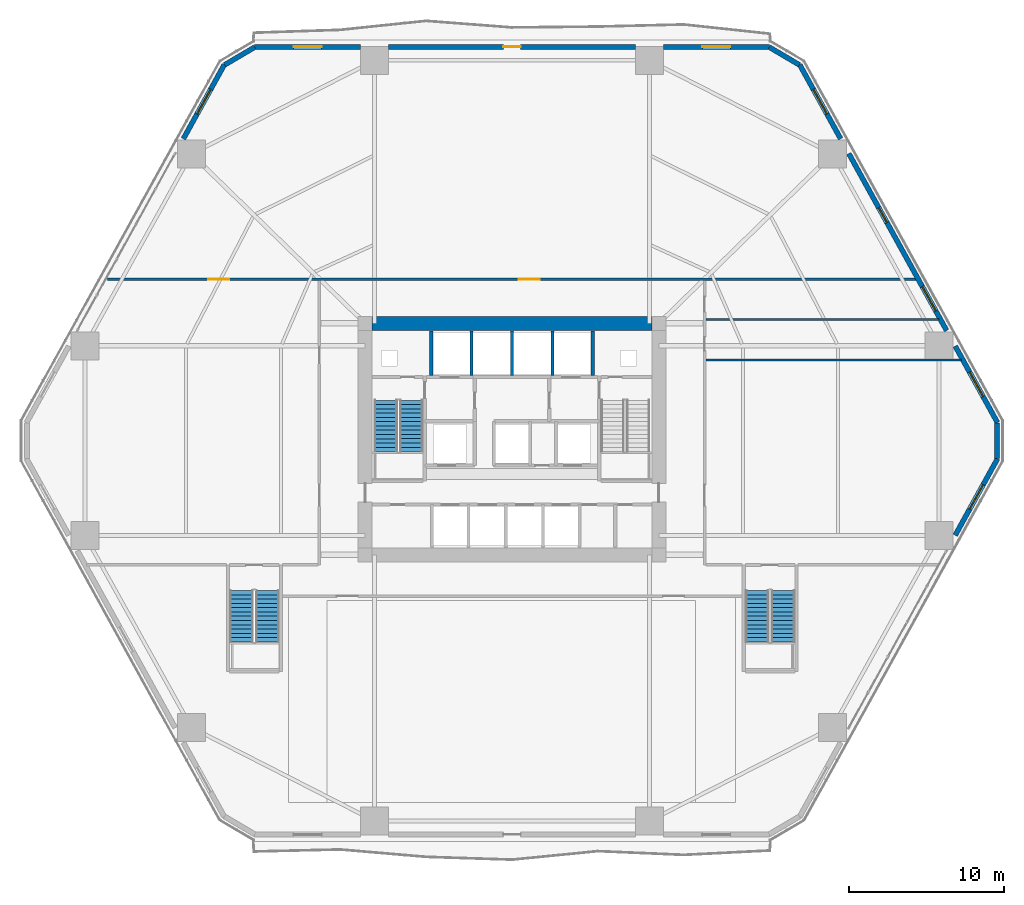
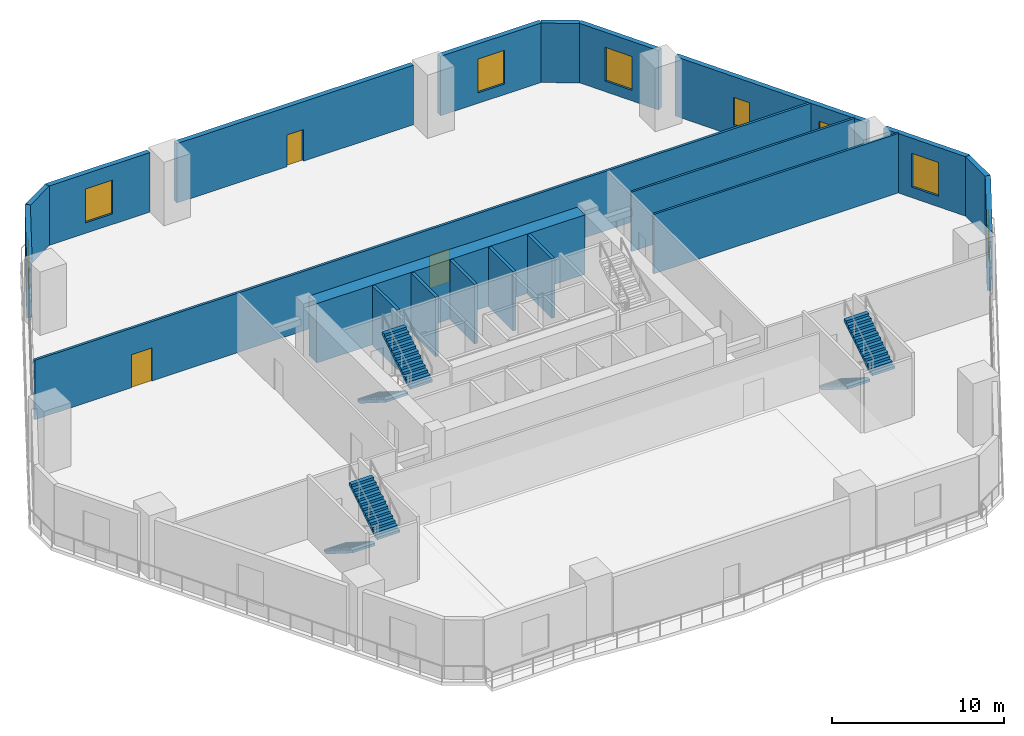
# One storey, part 11 of 18: 20 walls, 8 windows, 6 stair flights, 3 doors, 11 openings, 3 elements without a shape of their own.
"""IFC4 building model written with IfcOpenShell, lengths in metres."""

from ifc_helpers import new_model, si_unit, direction, frame, frame_2d, origin, place, context, subcontext, project, spatial, polyline, rectangle, outline, extrude, material, layer, layer_set, type_object, element, fill, aggregate, save


model = new_model("IFC4")

# Units and contexts
model_context = context("Model", 3, precision=1e-05, world=origin(), true_north=direction((0.0, 1.0)))
body_context = subcontext(model_context, "Body", "Model", "MODEL_VIEW")
ifc_project = project(units=[si_unit("LENGTHUNIT", "METRE"), si_unit("AREAUNIT", "SQUARE_METRE"), si_unit("VOLUMEUNIT", "CUBIC_METRE"), si_unit("PLANEANGLEUNIT", "RADIAN"), si_unit("MASSUNIT", "GRAM", prefix="KILO")], contexts=[model_context])

# Site, building, storey
site_placement = place(None, origin())
site = spatial("IfcSite", under=ifc_project, at=site_placement, CompositionType="ELEMENT")
building_placement = place(site_placement, origin())
building = spatial("IfcBuilding", under=site, at=building_placement, Name="Cinnabar Lancet Tower", CompositionType="ELEMENT")
storey_placement = place(building_placement, frame((0.0, 0.0, 15.0)))
storey = spatial("IfcBuildingStorey", under=building, at=storey_placement, Name="L03", CompositionType="ELEMENT", Elevation=15.0)

# Wall, openings, doors
ifc_material_1 = material(Name="Acoustic twin-stud gypsum partition", Category="gypsum")
ifc_layer_1 = layer(ifc_material_1, 0.159912109375)
ifc_layer_set_1 = layer_set([ifc_layer_1], Name="Acoustic twin-stud gypsum partition")
wall_type_1 = type_object("IfcWallType", Name="ARC-WL-CORR-160", PredefinedType="PARTITIONING", material=ifc_layer_set_1)
wall_1_placement = place(storey_placement, frame((6.345947265625, 36.199951171875, 0.0), z_axis=(0.0, 0.0, 1.0), x_axis=(1.0, 0.0, 0.0)))
wall_1 = element("IfcWall", 1, at=wall_1_placement, inside=storey, type_object=wall_type_1, Name="PW-L03-NHL", PredefinedType="PARTITIONING", context=body_context, shape_type="SweptSolid", body=[
    extrude(rectangle(XDim=52.108154296875, YDim=0.159912109375, at=frame_2d((26.05419921875, 0.0))), origin(), (0.0, 0.0, 1.0), 4.219970703125),
])
opening_1_placement = place(wall_1_placement, frame((6.5, 0.0, 0.0)))
opening_1 = element("IfcOpeningElement", 2, at=opening_1_placement, cuts=wall_1, Name="Opening UD-02", PredefinedType="OPENING", context=body_context, shape_type="SweptSolid", body=[
    extrude(rectangle(XDim=1.35009765625, YDim=2.35009765625, at=frame_2d((0.675048828125, 1.175048828125))), frame((0.0, 0.08984375, 0.0), z_axis=(0.0, -1.0, 0.0), x_axis=(1.0, 0.0, 0.0)), (0.0, 0.0, 1.0), 0.179931640625),
])
opening_2_placement = place(wall_1_placement, frame((26.5, 0.0, 0.0)))
opening_2 = element("IfcOpeningElement", 3, at=opening_2_placement, cuts=wall_1, Name="Opening UD-02", PredefinedType="OPENING", context=body_context, shape_type="SweptSolid", body=[
    extrude(rectangle(XDim=1.35009765625, YDim=2.35009765625, at=frame_2d((0.675048828125, 1.175048828125))), frame((0.0, 0.08984375, 0.0), z_axis=(0.0, -1.0, 0.0), x_axis=(1.0, 0.0, 0.0)), (0.0, 0.0, 1.0), 0.179931640625),
])
ifc_material_2 = material(Name="Double-leaf solid timber penthouse entrance door", Category="wood")
door_type_1 = type_object("IfcDoorType", Name="ARC-DR-UNIT-PH", OperationType="NOTDEFINED", PredefinedType="DOOR", material=ifc_material_2)
door_1_placement = place(opening_1_placement, origin())
door_1 = element("IfcDoor", 4, at=door_1_placement, inside=storey, type_object=door_type_1, Name="DR-L03-NORTH1", OperationType="SINGLE_SWING_LEFT", OverallHeight=2.35009765625, OverallWidth=1.35009765625, PredefinedType="DOOR", context=body_context, shape_type="SweptSolid", body=[
    extrude(rectangle(XDim=1.35009765625, YDim=2.35009765625, at=frame_2d((0.675048828125, 1.175048828125))), frame((0.0, 0.02490234375, 0.0), z_axis=(0.0, -1.0, 0.0), x_axis=(1.0, 0.0, 0.0)), (0.0, 0.0, 1.0), 0.050048828125),
])
fill(opening_1, door_1)
door_2_placement = place(opening_2_placement, origin())
door_2 = element("IfcDoor", 5, at=door_2_placement, inside=storey, type_object=door_type_1, Name="DR-L03-NORTH2", OperationType="SINGLE_SWING_RIGHT", OverallHeight=2.35009765625, OverallWidth=1.35009765625, PredefinedType="DOOR", context=body_context, shape_type="SweptSolid", body=[
    extrude(rectangle(XDim=1.35009765625, YDim=2.35009765625, at=frame_2d((0.675048828125, 1.175048828125))), frame((0.0, 0.02490234375, 0.0), z_axis=(0.0, -1.0, 0.0), x_axis=(1.0, 0.0, 0.0)), (0.0, 0.0, 1.0), 0.050048828125),
])
fill(opening_2, door_2)

# Walls
ifc_material_3 = material(Name="Autoclaved aerated concrete blockwork", Category="masonry")
ifc_layer_2 = layer(ifc_material_3, 0.199951171875)
ifc_layer_set_2 = layer_set([ifc_layer_2], Name="Autoclaved aerated concrete blockwork")
wall_type_2 = type_object("IfcWallType", Name="ARC-WL-SHAFT-200", PredefinedType="PLUMBINGWALL", material=ifc_layer_set_2)
for number, where, z_axis, x_axis, name in (
    (6, (27.199951171875, 30.0, 0.0), (0.0, 0.0, 1.0), (0.0, 1.0, 0.0), "CW-NSH-D1-L03"),
    (7, (29.800048828125, 30.0, 0.0), (0.0, 0.0, 1.0), (0.0, 1.0, 0.0), "CW-NSH-D2-L03"),
    (8, (32.39990234375, 30.0, 0.0), (0.0, 0.0, 1.0), (0.0, 1.0, 0.0), "CW-NSH-D3-L03"),
    (9, (35.0, 30.0, 0.0), (0.0, 0.0, 1.0), (0.0, 1.0, 0.0), "CW-NSH-D4-L03"),
    (10, (37.60009765625, 30.0, 0.0), (0.0, 0.0, 1.0), (0.0, 1.0, 0.0), "CW-NSH-D5-L03"),
):
    element("IfcWall", number, at=place(storey_placement, frame(where, z_axis=z_axis, x_axis=x_axis)), inside=storey, type_object=wall_type_2, Name=name, PredefinedType="PLUMBINGWALL", context=body_context, shape_type="SweptSolid", body=[
        extrude(rectangle(XDim=2.85009765625, YDim=0.199951171875, at=frame_2d((1.425048828125, 0.0))), origin(), (0.0, 0.0, 1.0), 4.219970703125),
    ])
ifc_material_4 = material(Name="Moisture-resistant cement-board plumbing wall", Category="masonry")
ifc_layer_3 = layer(ifc_material_4, 0.139892578125)
ifc_layer_set_3 = layer_set([ifc_layer_3], Name="Moisture-resistant cement-board plumbing wall")
wall_type_3 = type_object("IfcWallType", Name="ARC-WL-WET-140", PredefinedType="PLUMBINGWALL", material=ifc_layer_set_3)
wall_2_placement = place(storey_placement, frame((44.885009765625, 31.0, 0.0), z_axis=(0.0, 0.0, 1.0), x_axis=(1.0, 0.0, 0.0)))
element("IfcWall", 11, at=wall_2_placement, inside=storey, type_object=wall_type_3, Name="PW-L03-WCS", PredefinedType="PLUMBINGWALL", context=body_context, shape_type="SweptSolid", body=[
    extrude(rectangle(XDim=16.44189453125, YDim=0.139892578125, at=frame_2d((8.220947265625, 0.0))), origin(), (0.0, 0.0, 1.0), 4.219970703125),
])
wall_3_placement = place(storey_placement, frame((44.885009765625, 33.60009765625, 0.0), z_axis=(0.0, 0.0, 1.0), x_axis=(1.0, 0.0, 0.0)))
element("IfcWall", 12, at=wall_3_placement, inside=storey, type_object=wall_type_3, Name="PW-L03-WCM", PredefinedType="PLUMBINGWALL", context=body_context, shape_type="SweptSolid", body=[
    extrude(rectangle(XDim=15.006103515625, YDim=0.139892578125, at=frame_2d((7.5029296875, 0.0))), origin(), (0.0, 0.0, 1.0), 4.219970703125),
])
ifc_material_5 = material(Name="Warm buff clay brick", Category="masonry")
ifc_layer_4 = layer(ifc_material_5, 0.320068359375)
ifc_layer_set_4 = layer_set([ifc_layer_4], Name="Warm buff clay brick")
wall_type_4 = type_object("IfcWallType", Name="ENV-WL-BRK-BUF-320", PredefinedType="STANDARD", material=ifc_layer_set_4)
wall_4_placement = place(storey_placement, frame((63.635009765625, 24.64599609375, 0.0), z_axis=(0.0, 0.0, 1.0), x_axis=(0.0, 1.0, 0.0)))
element("IfcWall", 13, at=wall_4_placement, inside=storey, type_object=wall_type_4, Name="L03 Chamfered Corner Brick Pier 3.1", PredefinedType="STANDARD", context=body_context, shape_type="SweptSolid", body=[
    extrude(rectangle(XDim=2.30810546875, YDim=0.320068359375, at=frame_2d((1.154052734375, 0.0))), origin(), (0.0, 0.0, 1.0), 4.219970703125),
])
wall_5_placement = place(storey_placement, frame((50.903076171875, 49.991943359375, 0.0), z_axis=(0.0, 0.0, 1.0), x_axis=(-0.861209017918, 0.508250949293, 0.0)))
element("IfcWall", 14, at=wall_5_placement, inside=storey, type_object=wall_type_4, Name="L03 Chamfered Corner Brick Pier 4.1", PredefinedType="STANDARD", context=body_context, shape_type="SweptSolid", body=[
    extrude(rectangle(XDim=2.2529296875, YDim=0.320068359375, at=frame_2d((1.12646484375, 0.0))), origin(), (0.0, 0.0, 1.0), 4.219970703125),
])
wall_6_placement = place(storey_placement, frame((15.8369140625, 51.136962890625, 0.0), z_axis=(0.0, 0.0, 1.0), x_axis=(-0.861181020205, -0.508298387209, 0.0)))
element("IfcWall", 15, at=wall_6_placement, inside=storey, type_object=wall_type_4, Name="L03 Chamfered Corner Brick Pier 5.1", PredefinedType="STANDARD", context=body_context, shape_type="SweptSolid", body=[
    extrude(rectangle(XDim=2.252685546875, YDim=0.320068359375, at=frame_2d((1.12646484375, 0.0))), origin(), (0.0, 0.0, 1.0), 4.219970703125),
])

# Wall, opening, window
wall_7_placement = place(storey_placement, frame((60.93408203125, 19.7119140625, 0.0), z_axis=(0.0, 0.0, 1.0), x_axis=(0.483638013798, 0.875268114128, 0.0)))
wall_7 = element("IfcWall", 16, at=wall_7_placement, inside=storey, type_object=wall_type_4, Name="L03 Face 2 Masonry Bay Wall 3", PredefinedType="STANDARD", context=body_context, shape_type="SweptSolid", body=[
    extrude(rectangle(XDim=5.6279296875, YDim=0.320068359375, at=frame_2d((2.81396484375, 0.0))), origin(), (0.0, 0.0, 1.0), 4.219970703125),
])
opening_3_placement = place(wall_7_placement, frame((1.9140625, 0.0, 0.75)))
opening_3 = element("IfcOpeningElement", 17, at=opening_3_placement, cuts=wall_7, Name="Opening WN-05", PredefinedType="OPENING", context=body_context, shape_type="SweptSolid", body=[
    extrude(rectangle(XDim=1.800048828125, YDim=2.39990234375, at=frame_2d((0.89990234375, 1.199951171875))), frame((0.0, 0.169921875, 0.0), z_axis=(0.0, -1.0, 0.0), x_axis=(1.0, 0.0, 0.0)), (0.0, 0.0, 1.0), 0.340087890625),
])
ifc_material_6 = material(Name="Thermally broken bronze-anodized aluminium podium lancet window", Category="aluminium")
window_type_1 = type_object("IfcWindowType", Name="ENV-WN-POD-1800", PartitioningType="SINGLE_PANEL", PredefinedType="WINDOW", material=ifc_material_6)
window_1_placement = place(opening_3_placement, origin())
window_1 = element("IfcWindow", 18, at=window_1_placement, inside=storey, type_object=window_type_1, Name="L03 Face 2 Gothic Lancet Window 3", OverallHeight=2.39990234375, OverallWidth=1.800048828125, PartitioningType="SINGLE_PANEL", PredefinedType="WINDOW", context=body_context, shape_type="SweptSolid", body=[
    extrude(rectangle(XDim=1.800048828125, YDim=2.39990234375, at=frame_2d((0.89990234375, 1.199951171875))), frame((0.0, 0.030029296875, 0.0), z_axis=(0.0, -1.0, 0.0), x_axis=(1.0, 0.0, 0.0)), (0.0, 0.0, 1.0), 0.06005859375),
])
fill(opening_3, window_1)

wall_8_placement = place(storey_placement, frame((63.656005859375, 26.9619140625, 0.0), z_axis=(0.0, 0.0, 1.0), x_axis=(-0.483638013798, 0.875268114128, 0.0)))
wall_8 = element("IfcWall", 19, at=wall_8_placement, inside=storey, type_object=wall_type_4, Name="L03 Face 3 Masonry Bay Wall 1", PredefinedType="STANDARD", context=body_context, shape_type="SweptSolid", body=[
    extrude(rectangle(XDim=5.6279296875, YDim=0.320068359375, at=frame_2d((2.81396484375, 0.0))), origin(), (0.0, 0.0, 1.0), 4.219970703125),
])
opening_4_placement = place(wall_8_placement, frame((1.9140625, 0.0, 0.75)))
opening_4 = element("IfcOpeningElement", 20, at=opening_4_placement, cuts=wall_8, Name="Opening WN-05", PredefinedType="OPENING", context=body_context, shape_type="SweptSolid", body=[
    extrude(rectangle(XDim=1.800048828125, YDim=2.39990234375, at=frame_2d((0.89990234375, 1.199951171875))), frame((0.0, 0.169921875, 0.0), z_axis=(0.0, -1.0, 0.0), x_axis=(1.0, 0.0, 0.0)), (0.0, 0.0, 1.0), 0.340087890625),
])
window_2_placement = place(opening_4_placement, origin())
window_2 = element("IfcWindow", 21, at=window_2_placement, inside=storey, type_object=window_type_1, Name="L03 Face 3 Gothic Lancet Window 1", OverallHeight=2.39990234375, OverallWidth=1.800048828125, PartitioningType="SINGLE_PANEL", PredefinedType="WINDOW", context=body_context, shape_type="SweptSolid", body=[
    extrude(rectangle(XDim=1.800048828125, YDim=2.39990234375, at=frame_2d((0.89990234375, 1.199951171875))), frame((0.0, 0.030029296875, 0.0), z_axis=(0.0, -1.0, 0.0), x_axis=(1.0, 0.0, 0.0)), (0.0, 0.0, 1.0), 0.06005859375),
])
fill(opening_4, window_2)

# Wall, openings, windows
wall_9_placement = place(storey_placement, frame((60.381103515625, 32.888916015625, 0.0), z_axis=(0.0, 0.0, 1.0), x_axis=(-0.483690649574, 0.875239027646, 0.0)))
wall_9 = element("IfcWall", 22, at=wall_9_placement, inside=storey, type_object=wall_type_4, Name="L03 Face 3 Masonry Bay Wall 2", PredefinedType="STANDARD", context=body_context, shape_type="SweptSolid", body=[
    extrude(rectangle(XDim=13.014892578125, YDim=0.320068359375, at=frame_2d((6.50732421875, 0.0))), origin(), (0.0, 0.0, 1.0), 4.219970703125),
])
opening_5_placement = place(wall_9_placement, frame((1.43896484375, 0.0, 0.75)))
opening_5 = element("IfcOpeningElement", 23, at=opening_5_placement, cuts=wall_9, Name="Opening WN-05", PredefinedType="OPENING", context=body_context, shape_type="SweptSolid", body=[
    extrude(rectangle(XDim=1.800048828125, YDim=2.39990234375, at=frame_2d((0.89990234375, 1.199951171875))), frame((0.0, 0.169921875, 0.0), z_axis=(0.0, -1.0, 0.0), x_axis=(1.0, 0.0, 0.0)), (0.0, 0.0, 1.0), 0.340087890625),
])
opening_6_placement = place(wall_9_placement, frame((7.943115234375, 0.0, 0.75)))
opening_6 = element("IfcOpeningElement", 24, at=opening_6_placement, cuts=wall_9, Name="Opening WN-04", PredefinedType="OPENING", context=body_context, shape_type="SweptSolid", body=[
    extrude(rectangle(XDim=1.10009765625, YDim=2.0, at=frame_2d((0.550048828125, 1.0))), frame((0.0, 0.169921875, 0.0), z_axis=(0.0, -1.0, 0.0), x_axis=(1.0, 0.0, 0.0)), (0.0, 0.0, 1.0), 0.340087890625),
])
ifc_material_7 = material(Name="Thermally broken bronze-anodized aluminium tall lancet window", Category="aluminium")
window_type_2 = type_object("IfcWindowType", Name="ENV-WN-LANCET-1100", PartitioningType="SINGLE_PANEL", PredefinedType="WINDOW", material=ifc_material_7)
window_3_placement = place(opening_6_placement, origin())
window_3 = element("IfcWindow", 25, at=window_3_placement, inside=storey, type_object=window_type_2, Name="L03 Split-Bay Gothic Lancet Window 3", OverallHeight=2.0, OverallWidth=1.10009765625, PartitioningType="SINGLE_PANEL", PredefinedType="WINDOW", context=body_context, shape_type="SweptSolid", body=[
    extrude(rectangle(XDim=1.10009765625, YDim=2.0, at=frame_2d((0.550048828125, 1.0))), frame((0.0, 0.030029296875, 0.0), z_axis=(0.0, -1.0, 0.0), x_axis=(1.0, 0.0, 0.0)), (0.0, 0.0, 1.0), 0.06005859375),
])
fill(opening_6, window_3)
window_4_placement = place(opening_5_placement, origin())
window_4 = element("IfcWindow", 26, at=window_4_placement, inside=storey, type_object=window_type_1, Name="L03 Face 3 Gothic Lancet Window 2", OverallHeight=2.39990234375, OverallWidth=1.800048828125, PartitioningType="SINGLE_PANEL", PredefinedType="WINDOW", context=body_context, shape_type="SweptSolid", body=[
    extrude(rectangle(XDim=1.800048828125, YDim=2.39990234375, at=frame_2d((0.89990234375, 1.199951171875))), frame((0.0, 0.030029296875, 0.0), z_axis=(0.0, -1.0, 0.0), x_axis=(1.0, 0.0, 0.0)), (0.0, 0.0, 1.0), 0.06005859375),
])
fill(opening_5, window_4)

# Wall, opening, window
wall_10_placement = place(storey_placement, frame((53.556884765625, 45.237060546875, 0.0), z_axis=(0.0, 0.0, 1.0), x_axis=(-0.483675274773, 0.875247524174, 0.0)))
wall_10 = element("IfcWall", 27, at=wall_10_placement, inside=storey, type_object=wall_type_4, Name="L03 Face 3 Masonry Bay Wall 3", PredefinedType="STANDARD", context=body_context, shape_type="SweptSolid", body=[
    extrude(rectangle(XDim=5.449951171875, YDim=0.320068359375, at=frame_2d((2.72509765625, 0.0))), origin(), (0.0, 0.0, 1.0), 4.219970703125),
])
opening_7_placement = place(wall_10_placement, frame((1.824951171875, 0.0, 0.75)))
opening_7 = element("IfcOpeningElement", 28, at=opening_7_placement, cuts=wall_10, Name="Opening WN-05", PredefinedType="OPENING", context=body_context, shape_type="SweptSolid", body=[
    extrude(rectangle(XDim=1.800048828125, YDim=2.39990234375, at=frame_2d((0.89990234375, 1.199951171875))), frame((0.0, 0.169921875, 0.0), z_axis=(0.0, -1.0, 0.0), x_axis=(1.0, 0.0, 0.0)), (0.0, 0.0, 1.0), 0.340087890625),
])
window_5_placement = place(opening_7_placement, origin())
window_5 = element("IfcWindow", 29, at=window_5_placement, inside=storey, type_object=window_type_1, Name="L03 Face 3 Gothic Lancet Window 3", OverallHeight=2.39990234375, OverallWidth=1.800048828125, PartitioningType="SINGLE_PANEL", PredefinedType="WINDOW", context=body_context, shape_type="SweptSolid", body=[
    extrude(rectangle(XDim=1.800048828125, YDim=2.39990234375, at=frame_2d((0.89990234375, 1.199951171875))), frame((0.0, 0.030029296875, 0.0), z_axis=(0.0, -1.0, 0.0), x_axis=(1.0, 0.0, 0.0)), (0.0, 0.0, 1.0), 0.06005859375),
])
fill(opening_7, window_5)

wall_11_placement = place(storey_placement, frame((48.968017578125, 51.159912109375, 0.0), z_axis=(0.0, 0.0, 1.0), x_axis=(-1.0, 0.0, 0.0)))
wall_11 = element("IfcWall", 30, at=wall_11_placement, inside=storey, type_object=wall_type_4, Name="L03 Face 4 Masonry Bay Wall 1", PredefinedType="STANDARD", context=body_context, shape_type="SweptSolid", body=[
    extrude(rectangle(XDim=6.819091796875, YDim=0.320068359375, at=frame_2d((3.40966796875, 0.0))), origin(), (0.0, 0.0, 1.0), 4.219970703125),
])
opening_8_placement = place(wall_11_placement, frame((2.510009765625, 0.0, 0.75)))
opening_8 = element("IfcOpeningElement", 31, at=opening_8_placement, cuts=wall_11, Name="Opening WN-05", PredefinedType="OPENING", context=body_context, shape_type="SweptSolid", body=[
    extrude(rectangle(XDim=1.800048828125, YDim=2.39990234375, at=frame_2d((0.89990234375, 1.199951171875))), frame((0.0, 0.169921875, 0.0), z_axis=(0.0, -1.0, 0.0), x_axis=(1.0, 0.0, 0.0)), (0.0, 0.0, 1.0), 0.340087890625),
])
window_6_placement = place(opening_8_placement, origin())
window_6 = element("IfcWindow", 32, at=window_6_placement, inside=storey, type_object=window_type_1, Name="L03 Face 4 Gothic Lancet Window 1", OverallHeight=2.39990234375, OverallWidth=1.800048828125, PartitioningType="SINGLE_PANEL", PredefinedType="WINDOW", context=body_context, shape_type="SweptSolid", body=[
    extrude(rectangle(XDim=1.800048828125, YDim=2.39990234375, at=frame_2d((0.89990234375, 1.199951171875))), frame((0.0, 0.030029296875, 0.0), z_axis=(0.0, -1.0, 0.0), x_axis=(1.0, 0.0, 0.0)), (0.0, 0.0, 1.0), 0.06005859375),
])
fill(opening_8, window_6)

# Wall, opening, door
wall_12_placement = place(storey_placement, frame((40.341064453125, 51.159912109375, 0.0), z_axis=(0.0, 0.0, 1.0), x_axis=(-1.0, 0.0, 0.0)))
wall_12 = element("IfcWall", 33, at=wall_12_placement, inside=storey, type_object=wall_type_4, Name="L03 Face 4 Masonry Bay Wall 2", PredefinedType="STANDARD", context=body_context, shape_type="SweptSolid", body=[
    extrude(rectangle(XDim=15.882080078125, YDim=0.320068359375, at=frame_2d((7.94091796875, 0.0))), origin(), (0.0, 0.0, 1.0), 4.219970703125),
])
opening_9_placement = place(wall_12_placement, frame((7.39111328125, 0.0, 0.0)))
opening_9 = element("IfcOpeningElement", 34, at=opening_9_placement, cuts=wall_12, Name="Opening TD-01", PredefinedType="OPENING", context=body_context, shape_type="SweptSolid", body=[
    extrude(rectangle(XDim=1.10009765625, YDim=2.25, at=frame_2d((0.550048828125, 1.125))), frame((0.0, 0.169921875, 0.0), z_axis=(0.0, -1.0, 0.0), x_axis=(1.0, 0.0, 0.0)), (0.0, 0.0, 1.0), 0.340087890625),
])
ifc_material_8 = material(Name="Thermally broken low-E glazed balcony terrace door", Category="wood")
door_type_2 = type_object("IfcDoorType", Name="ARC-DR-BALC", OperationType="NOTDEFINED", PredefinedType="DOOR", material=ifc_material_8)
door_3_placement = place(opening_9_placement, origin())
door_3 = element("IfcDoor", 35, at=door_3_placement, inside=storey, type_object=door_type_2, Name="L03 Face 4 Glazed Terrace Door", OperationType="SINGLE_SWING_LEFT", OverallHeight=2.25, OverallWidth=1.10009765625, PredefinedType="DOOR", context=body_context, shape_type="SweptSolid", body=[
    extrude(rectangle(XDim=1.10009765625, YDim=2.25, at=frame_2d((0.550048828125, 1.125))), frame((0.0, 0.02490234375, 0.0), z_axis=(0.0, -1.0, 0.0), x_axis=(1.0, 0.0, 0.0)), (0.0, 0.0, 1.0), 0.050048828125),
])
fill(opening_9, door_3)

# Wall, opening, window
wall_13_placement = place(storey_placement, frame((22.65087890625, 51.159912109375, 0.0), z_axis=(0.0, 0.0, 1.0), x_axis=(-1.0, 0.0, 0.0)))
wall_13 = element("IfcWall", 36, at=wall_13_placement, inside=storey, type_object=wall_type_4, Name="L03 Face 4 Masonry Bay Wall 3", PredefinedType="STANDARD", context=body_context, shape_type="SweptSolid", body=[
    extrude(rectangle(XDim=6.81884765625, YDim=0.320068359375, at=frame_2d((3.409423828125, 0.0))), origin(), (0.0, 0.0, 1.0), 4.219970703125),
])
opening_10_placement = place(wall_13_placement, frame((2.509033203125, 0.0, 0.75)))
opening_10 = element("IfcOpeningElement", 37, at=opening_10_placement, cuts=wall_13, Name="Opening WN-05", PredefinedType="OPENING", context=body_context, shape_type="SweptSolid", body=[
    extrude(rectangle(XDim=1.800048828125, YDim=2.39990234375, at=frame_2d((0.89990234375, 1.199951171875))), frame((0.0, 0.169921875, 0.0), z_axis=(0.0, -1.0, 0.0), x_axis=(1.0, 0.0, 0.0)), (0.0, 0.0, 1.0), 0.340087890625),
])
window_7_placement = place(opening_10_placement, origin())
window_7 = element("IfcWindow", 38, at=window_7_placement, inside=storey, type_object=window_type_1, Name="L03 Face 4 Gothic Lancet Window 3", OverallHeight=2.39990234375, OverallWidth=1.800048828125, PartitioningType="SINGLE_PANEL", PredefinedType="WINDOW", context=body_context, shape_type="SweptSolid", body=[
    extrude(rectangle(XDim=1.800048828125, YDim=2.39990234375, at=frame_2d((0.89990234375, 1.199951171875))), frame((0.0, 0.030029296875, 0.0), z_axis=(0.0, -1.0, 0.0), x_axis=(1.0, 0.0, 0.0)), (0.0, 0.0, 1.0), 0.06005859375),
])
fill(opening_10, window_7)

wall_14_placement = place(storey_placement, frame((13.87890625, 50.007080078125, 0.0), z_axis=(0.0, 0.0, 1.0), x_axis=(-0.483675274773, -0.875247524174, 0.0)))
wall_14 = element("IfcWall", 39, at=wall_14_placement, inside=storey, type_object=wall_type_4, Name="L03 Face 5 Masonry Bay Wall 1", PredefinedType="STANDARD", context=body_context, shape_type="SweptSolid", body=[
    extrude(rectangle(XDim=5.449951171875, YDim=0.320068359375, at=frame_2d((2.72509765625, 0.0))), origin(), (0.0, 0.0, 1.0), 4.219970703125),
])
opening_11_placement = place(wall_14_placement, frame((1.824951171875, 0.0, 0.75)))
opening_11 = element("IfcOpeningElement", 40, at=opening_11_placement, cuts=wall_14, Name="Opening WN-05", PredefinedType="OPENING", context=body_context, shape_type="SweptSolid", body=[
    extrude(rectangle(XDim=1.800048828125, YDim=2.39990234375, at=frame_2d((0.89990234375, 1.199951171875))), frame((0.0, 0.169921875, 0.0), z_axis=(0.0, -1.0, 0.0), x_axis=(1.0, 0.0, 0.0)), (0.0, 0.0, 1.0), 0.340087890625),
])
window_8_placement = place(opening_11_placement, origin())
window_8 = element("IfcWindow", 41, at=window_8_placement, inside=storey, type_object=window_type_1, Name="L03 Face 5 Gothic Lancet Window 1", OverallHeight=2.39990234375, OverallWidth=1.800048828125, PartitioningType="SINGLE_PANEL", PredefinedType="WINDOW", context=body_context, shape_type="SweptSolid", body=[
    extrude(rectangle(XDim=1.800048828125, YDim=2.39990234375, at=frame_2d((0.89990234375, 1.199951171875))), frame((0.0, 0.030029296875, 0.0), z_axis=(0.0, -1.0, 0.0), x_axis=(1.0, 0.0, 0.0)), (0.0, 0.0, 1.0), 0.06005859375),
])
fill(opening_11, window_8)

# Wall
ifc_material_9 = material(Name="Concrete C80/95", Category="concrete")
ifc_layer_5 = layer(ifc_material_9, 0.89990234375)
ifc_layer_set_5 = layer_set([ifc_layer_5], Name="Concrete C80/95")
wall_type_5 = type_object("IfcWallType", Name="STR-WL-CORE-900", PredefinedType="SHEAR", material=ifc_layer_set_5)
wall_15_placement = place(storey_placement, frame((23.39990234375, 33.35009765625, 0.0), z_axis=(0.0, 0.0, 1.0), x_axis=(1.0, 0.0, 0.0)))
element("IfcWall", 42, at=wall_15_placement, inside=storey, type_object=wall_type_5, Name="L03 Core Shear Wall N", PredefinedType="SHEAR", context=body_context, shape_type="SweptSolid", body=[
    extrude(rectangle(XDim=18.0, YDim=0.89990234375, at=frame_2d((9.0, 0.0))), origin(), (0.0, 0.0, 1.0), 4.219970703125),
])

# Stair, stair flights
ifc_material_10 = material(Name="Concrete C40/50", Category="concrete")
stair_type_1 = type_object("IfcStairType", Name="ST-CORE", PredefinedType="HALF_TURN_STAIR", material=ifc_material_10)
stair_1_placement = place(storey_placement, origin())
stair_1 = element("IfcStair", 43, at=stair_1_placement, inside=storey, type_object=stair_type_1, Name="L03 ST-1", PredefinedType="HALF_TURN_STAIR")
ifc_material_11 = material(Name="Concrete C40/50", Category="concrete")
stair_flight_type_1 = type_object("IfcStairFlightType", Name="FLIGHT-CORE", PredefinedType="STRAIGHT", material=ifc_material_11)
stair_flight_1_placement = place(storey_placement, frame((24.27490234375, 28.39990234375, 0.0), z_axis=(0.0, 0.0, 1.0), x_axis=(0.0, -1.0, 0.0)))
stair_flight_1 = element("IfcStairFlight", 44, at=stair_flight_1_placement, type_object=stair_flight_type_1, Name="ST-1 flight 1", NumberOfRisers=13, NumberOfTreads=12, PredefinedType="STRAIGHT", RiserHeight=0.173076923, TreadLength=0.275, context=body_context, shape_type="SweptSolid", body=[
    extrude(outline(polyline([(0.0, 0.0), (0.0, 0.173095703125), (0.27490234375, 0.173095703125), (0.27490234375, 0.34619140625), (0.550048828125, 0.34619140625), (0.550048828125, 0.519287109375), (0.824951171875, 0.519287109375), (0.824951171875, 0.6923828125), (1.10009765625, 0.6923828125), (1.10009765625, 0.865478515625), (1.375, 0.865478515625), (1.375, 1.03857421875), (1.64990234375, 1.03857421875), (1.64990234375, 1.21142578125), (1.925048828125, 1.21142578125), (1.925048828125, 1.384521484375), (2.199951171875, 1.384521484375), (2.199951171875, 1.5576171875), (2.47509765625, 1.5576171875), (2.47509765625, 1.730712890625), (2.75, 1.730712890625), (2.75, 1.90380859375), (3.02490234375, 1.90380859375), (3.02490234375, 2.076904296875), (3.300048828125, 2.076904296875), (3.300048828125, 2.25), (3.300048828125, 1.89990234375), (0.281494140625, 0.0), (0.0, 0.0)])), frame((0.0, 0.75, 0.0), z_axis=(0.0, -1.0, 0.0), x_axis=(1.0, 0.0, 0.0)), (0.0, 0.0, 1.0), 1.5),
])
stair_flight_2_placement = place(storey_placement, frame((25.925048828125, 25.10009765625, 2.25), z_axis=(0.0, 0.0, 1.0), x_axis=(0.0, 1.0, 0.0)))
stair_flight_2 = element("IfcStairFlight", 45, at=stair_flight_2_placement, type_object=stair_flight_type_1, Name="ST-1 flight 2", NumberOfRisers=13, NumberOfTreads=12, PredefinedType="STRAIGHT", RiserHeight=0.173076923, TreadLength=0.275, context=body_context, shape_type="SweptSolid", body=[
    extrude(outline(polyline([(0.0, 0.0), (0.0, 0.173095703125), (0.27490234375, 0.173095703125), (0.27490234375, 0.34619140625), (0.550048828125, 0.34619140625), (0.550048828125, 0.519287109375), (0.824951171875, 0.519287109375), (0.824951171875, 0.6923828125), (1.10009765625, 0.6923828125), (1.10009765625, 0.865478515625), (1.375, 0.865478515625), (1.375, 1.03857421875), (1.64990234375, 1.03857421875), (1.64990234375, 1.21142578125), (1.925048828125, 1.21142578125), (1.925048828125, 1.384521484375), (2.199951171875, 1.384521484375), (2.199951171875, 1.5576171875), (2.47509765625, 1.5576171875), (2.47509765625, 1.730712890625), (2.75, 1.730712890625), (2.75, 1.90380859375), (3.02490234375, 1.90380859375), (3.02490234375, 2.076904296875), (3.300048828125, 2.076904296875), (3.300048828125, 2.25), (3.300048828125, 1.89990234375), (0.281494140625, 0.0), (0.0, 0.0)])), frame((0.0, 0.75, 0.0), z_axis=(0.0, -1.0, 0.0), x_axis=(1.0, 0.0, 0.0)), (0.0, 0.0, 1.0), 1.5),
])
aggregate(stair_1, [stair_flight_1, stair_flight_2])

ifc_material_12 = material(Name="Concrete C40/50", Category="concrete")
stair_type_2 = type_object("IfcStairType", Name="ST-POD", PredefinedType="HALF_TURN_STAIR", material=ifc_material_12)
stair_2_placement = place(storey_placement, origin())
stair_2 = element("IfcStair", 46, at=stair_2_placement, inside=storey, type_object=stair_type_2, Name="L03 ST-3", PredefinedType="HALF_TURN_STAIR")
ifc_material_13 = material(Name="Concrete C40/50", Category="concrete")
stair_flight_type_2 = type_object("IfcStairFlightType", Name="FLIGHT-POD", PredefinedType="STRAIGHT", material=ifc_material_13)
stair_flight_3_placement = place(storey_placement, frame((14.985107421875, 16.14990234375, 0.0), z_axis=(0.0, 0.0, 1.0), x_axis=(0.0, -1.0, 0.0)))
stair_flight_3 = element("IfcStairFlight", 47, at=stair_flight_3_placement, type_object=stair_flight_type_2, Name="ST-3 flight 1", NumberOfRisers=13, NumberOfTreads=12, PredefinedType="STRAIGHT", RiserHeight=0.173076923, TreadLength=0.275, context=body_context, shape_type="SweptSolid", body=[
    extrude(outline(polyline([(0.0, 0.0), (0.0, 0.173095703125), (0.27490234375, 0.173095703125), (0.27490234375, 0.34619140625), (0.550048828125, 0.34619140625), (0.550048828125, 0.519287109375), (0.824951171875, 0.519287109375), (0.824951171875, 0.6923828125), (1.10009765625, 0.6923828125), (1.10009765625, 0.865478515625), (1.375, 0.865478515625), (1.375, 1.03857421875), (1.64990234375, 1.03857421875), (1.64990234375, 1.21142578125), (1.925048828125, 1.21142578125), (1.925048828125, 1.384521484375), (2.199951171875, 1.384521484375), (2.199951171875, 1.5576171875), (2.47509765625, 1.5576171875), (2.47509765625, 1.730712890625), (2.75, 1.730712890625), (2.75, 1.90380859375), (3.02490234375, 1.90380859375), (3.02490234375, 2.076904296875), (3.300048828125, 2.076904296875), (3.300048828125, 2.25), (3.300048828125, 1.89990234375), (0.281494140625, 0.0), (0.0, 0.0)])), frame((0.0, 0.760009765625, 0.0), z_axis=(0.0, -1.0, 0.0), x_axis=(1.0, 0.0, 0.0)), (0.0, 0.0, 1.0), 1.52001953125),
])
stair_flight_4_placement = place(storey_placement, frame((16.655029296875, 12.85009765625, 2.25), z_axis=(0.0, 0.0, 1.0), x_axis=(0.0, 1.0, 0.0)))
stair_flight_4 = element("IfcStairFlight", 48, at=stair_flight_4_placement, type_object=stair_flight_type_2, Name="ST-3 flight 2", NumberOfRisers=13, NumberOfTreads=12, PredefinedType="STRAIGHT", RiserHeight=0.173076923, TreadLength=0.275, context=body_context, shape_type="SweptSolid", body=[
    extrude(outline(polyline([(0.0, 0.0), (0.0, 0.173095703125), (0.27490234375, 0.173095703125), (0.27490234375, 0.34619140625), (0.550048828125, 0.34619140625), (0.550048828125, 0.519287109375), (0.824951171875, 0.519287109375), (0.824951171875, 0.6923828125), (1.10009765625, 0.6923828125), (1.10009765625, 0.865478515625), (1.375, 0.865478515625), (1.375, 1.03857421875), (1.64990234375, 1.03857421875), (1.64990234375, 1.21142578125), (1.925048828125, 1.21142578125), (1.925048828125, 1.384521484375), (2.199951171875, 1.384521484375), (2.199951171875, 1.5576171875), (2.47509765625, 1.5576171875), (2.47509765625, 1.730712890625), (2.75, 1.730712890625), (2.75, 1.90380859375), (3.02490234375, 1.90380859375), (3.02490234375, 2.076904296875), (3.300048828125, 2.076904296875), (3.300048828125, 2.25), (3.300048828125, 1.89990234375), (0.281494140625, 0.0), (0.0, 0.0)])), frame((0.0, 0.760009765625, 0.0), z_axis=(0.0, -1.0, 0.0), x_axis=(1.0, 0.0, 0.0)), (0.0, 0.0, 1.0), 1.52001953125),
])
aggregate(stair_2, [stair_flight_3, stair_flight_4])

stair_3_placement = place(storey_placement, origin())
stair_3 = element("IfcStair", 49, at=stair_3_placement, inside=storey, type_object=stair_type_2, Name="L03 ST-4", PredefinedType="HALF_TURN_STAIR")
stair_flight_5_placement = place(storey_placement, frame((48.18505859375, 16.14990234375, 0.0), z_axis=(0.0, 0.0, 1.0), x_axis=(0.0, -1.0, 0.0)))
stair_flight_5 = element("IfcStairFlight", 50, at=stair_flight_5_placement, type_object=stair_flight_type_2, Name="ST-4 flight 1", NumberOfRisers=13, NumberOfTreads=12, PredefinedType="STRAIGHT", RiserHeight=0.173076923, TreadLength=0.275, context=body_context, shape_type="SweptSolid", body=[
    extrude(outline(polyline([(0.0, 0.0), (0.0, 0.173095703125), (0.27490234375, 0.173095703125), (0.27490234375, 0.34619140625), (0.550048828125, 0.34619140625), (0.550048828125, 0.519287109375), (0.824951171875, 0.519287109375), (0.824951171875, 0.6923828125), (1.10009765625, 0.6923828125), (1.10009765625, 0.865478515625), (1.375, 0.865478515625), (1.375, 1.03857421875), (1.64990234375, 1.03857421875), (1.64990234375, 1.21142578125), (1.925048828125, 1.21142578125), (1.925048828125, 1.384521484375), (2.199951171875, 1.384521484375), (2.199951171875, 1.5576171875), (2.47509765625, 1.5576171875), (2.47509765625, 1.730712890625), (2.75, 1.730712890625), (2.75, 1.90380859375), (3.02490234375, 1.90380859375), (3.02490234375, 2.076904296875), (3.300048828125, 2.076904296875), (3.300048828125, 2.25), (3.300048828125, 1.89990234375), (0.281494140625, 0.0), (0.0, 0.0)])), frame((0.0, 0.760009765625, 0.0), z_axis=(0.0, -1.0, 0.0), x_axis=(1.0, 0.0, 0.0)), (0.0, 0.0, 1.0), 1.52001953125),
])
stair_flight_6_placement = place(storey_placement, frame((49.85498046875, 12.85009765625, 2.25), z_axis=(0.0, 0.0, 1.0), x_axis=(0.0, 1.0, 0.0)))
stair_flight_6 = element("IfcStairFlight", 51, at=stair_flight_6_placement, type_object=stair_flight_type_2, Name="ST-4 flight 2", NumberOfRisers=13, NumberOfTreads=12, PredefinedType="STRAIGHT", RiserHeight=0.173076923, TreadLength=0.275, context=body_context, shape_type="SweptSolid", body=[
    extrude(outline(polyline([(0.0, 0.0), (0.0, 0.173095703125), (0.27490234375, 0.173095703125), (0.27490234375, 0.34619140625), (0.550048828125, 0.34619140625), (0.550048828125, 0.519287109375), (0.824951171875, 0.519287109375), (0.824951171875, 0.6923828125), (1.10009765625, 0.6923828125), (1.10009765625, 0.865478515625), (1.375, 0.865478515625), (1.375, 1.03857421875), (1.64990234375, 1.03857421875), (1.64990234375, 1.21142578125), (1.925048828125, 1.21142578125), (1.925048828125, 1.384521484375), (2.199951171875, 1.384521484375), (2.199951171875, 1.5576171875), (2.47509765625, 1.5576171875), (2.47509765625, 1.730712890625), (2.75, 1.730712890625), (2.75, 1.90380859375), (3.02490234375, 1.90380859375), (3.02490234375, 2.076904296875), (3.300048828125, 2.076904296875), (3.300048828125, 2.25), (3.300048828125, 1.89990234375), (0.281494140625, 0.0), (0.0, 0.0)])), frame((0.0, 0.760009765625, 0.0), z_axis=(0.0, -1.0, 0.0), x_axis=(1.0, 0.0, 0.0)), (0.0, 0.0, 1.0), 1.52001953125),
])
aggregate(stair_3, [stair_flight_5, stair_flight_6])

save(model, "model.ifc")
